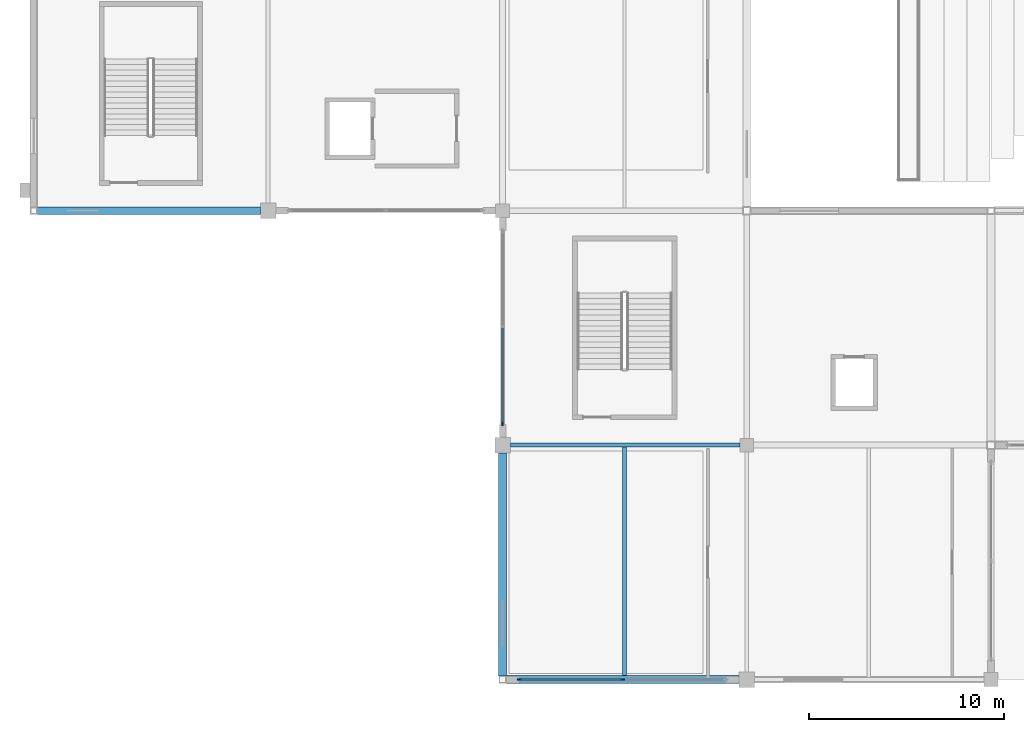
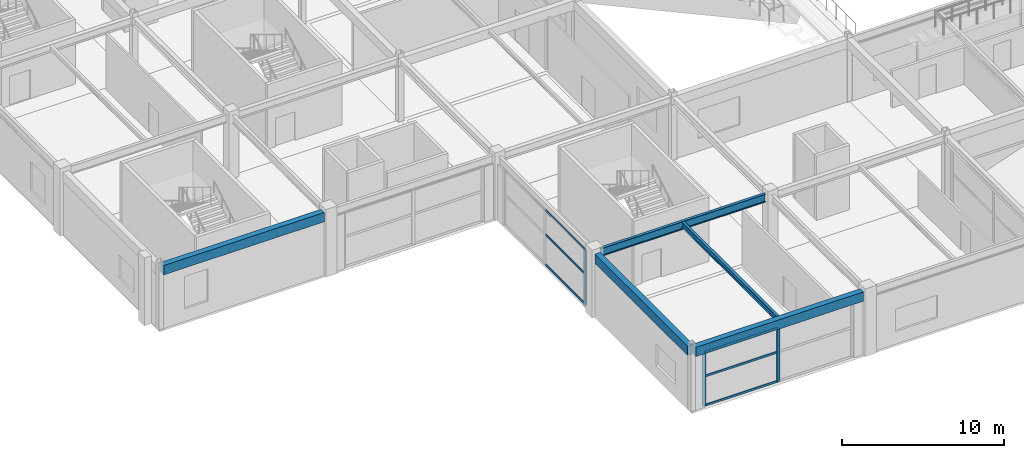
# One storey, part 25 of 128: 9 members, 5 beams, 2 elements without a shape of their own.
"""IFC4 building model written with IfcOpenShell, lengths in metres."""

from ifc_helpers import new_model, si_unit, direction, frame, origin, origin_2d, place, context, subcontext, project, spatial, rectangle, i_section, extrude, material, layer, layer_set, material_profile, profile_set, type_object, element, aggregate, save


model = new_model("IFC4")

# Units and contexts
model_context = context("Model", 3, precision=1e-05, world=origin(), true_north=direction((0.0, 1.0)))
body_context = subcontext(model_context, "Body", "Model", "MODEL_VIEW")
ifc_project = project(units=[si_unit("LENGTHUNIT", "METRE"), si_unit("AREAUNIT", "SQUARE_METRE"), si_unit("VOLUMEUNIT", "CUBIC_METRE"), si_unit("PLANEANGLEUNIT", "RADIAN"), si_unit("MASSUNIT", "GRAM", prefix="KILO")], contexts=[model_context])

# Site, building, storey
site_placement = place(None, origin())
site = spatial("IfcSite", under=ifc_project, at=site_placement, CompositionType="ELEMENT")
building_placement = place(site_placement, origin())
building = spatial("IfcBuilding", under=site, at=building_placement, Name="Kazenohara Klinker Stadium", CompositionType="ELEMENT")
storey_placement = place(building_placement, frame((0.0, 0.0, 15.300048828125)))
storey = spatial("IfcBuildingStorey", under=building, at=storey_placement, Name="L03", CompositionType="ELEMENT", Elevation=15.300048828125)

# Beams
ifc_material_1 = material(Name="Steel S355", Category="steel")
ifc_material_profile_1 = material_profile(ifc_material_1, i_section(OverallWidth=0.199951171875, OverallDepth=0.39990234375, WebThickness=0.008056640625, FlangeThickness=0.012939453125, FilletRadius=0.012939453125, at=origin_2d()), Name="H-400x200x8x13")
ifc_profile_set_1 = profile_set([ifc_material_profile_1], Name="Steel S355")
beam_type_1 = type_object("IfcBeamType", Name="BM-JST03", PredefinedType="JOIST", material=ifc_profile_set_1)
beam_1_placement = place(storey_placement, frame((30.25, 12.199951171875, 4.56005859375), z_axis=(0.0, 1.0, 0.0), x_axis=(-1.0, 0.0, 0.0)))
element("IfcBeam", 1, at=beam_1_placement, inside=storey, type_object=beam_type_1, Name="Secondary floor joist SJ03 L03 3/B", PredefinedType="JOIST", context=body_context, shape_type="SweptSolid", body=[
    extrude(i_section(OverallWidth=0.199951171875, OverallDepth=0.39990234375, WebThickness=0.008056640625, FlangeThickness=0.012939453125, FilletRadius=0.012939453125, at=origin_2d()), origin(), (0.0, 0.0, 1.0), 11.699951171875),
])
ifc_material_2 = material(Name="Concrete C40/50", Category="concrete")
ifc_material_profile_2 = material_profile(ifc_material_2, rectangle(XDim=0.39990234375, YDim=0.699951171875, at=origin_2d()), Name="RC-BM-400x700")
ifc_profile_set_2 = profile_set([ifc_material_profile_2], Name="Concrete C40/50")
beam_type_2 = type_object("IfcBeamType", Name="BM-RC04", PredefinedType="BEAM", material=ifc_profile_set_2)
beam_2_placement = place(storey_placement, frame((0.175048828125, 36.0, 4.409912109375), z_axis=(1.0, 0.0, 0.0), x_axis=(0.0, 1.0, 0.0)))
element("IfcBeam", 2, at=beam_2_placement, inside=storey, type_object=beam_type_2, Name="Primary girder BG04 L03 1-2/D", PredefinedType="BEAM", context=body_context, shape_type="SweptSolid", body=[
    extrude(rectangle(XDim=0.39990234375, YDim=0.699951171875, at=origin_2d()), origin(), (0.0, 0.0, 1.0), 11.425048828125),
])
beam_3_placement = place(storey_placement, frame((24.175048828125, 12.0, 4.409912109375), z_axis=(1.0, 0.0, 0.0), x_axis=(0.0, 1.0, 0.0)))
element("IfcBeam", 3, at=beam_3_placement, inside=storey, type_object=beam_type_2, Name="Primary girder BG04 L03 3-4/B", PredefinedType="BEAM", context=body_context, shape_type="SweptSolid", body=[
    extrude(rectangle(XDim=0.39990234375, YDim=0.699951171875, at=origin_2d()), origin(), (0.0, 0.0, 1.0), 11.925048828125),
])
beam_4_placement = place(storey_placement, frame((24.0, 12.175048828125, 4.409912109375), z_axis=(0.0, 1.0, 0.0), x_axis=(-1.0, 0.0, 0.0)))
element("IfcBeam", 4, at=beam_4_placement, inside=storey, type_object=beam_type_2, Name="Primary girder BG04 L03 3/B-C", PredefinedType="BEAM", context=body_context, shape_type="SweptSolid", body=[
    extrude(rectangle(XDim=0.39990234375, YDim=0.699951171875, at=origin_2d()), origin(), (0.0, 0.0, 1.0), 11.425048828125),
])
ifc_material_profile_3 = material_profile(ifc_material_1, i_section(OverallWidth=0.199951171875, OverallDepth=0.60009765625, WebThickness=0.010986328125, FlangeThickness=0.01708984375, FilletRadius=0.012939453125, at=origin_2d()), Name="H-600x200x11x17")
ifc_profile_set_3 = profile_set([ifc_material_profile_3], Name="Steel S355")
beam_type_3 = type_object("IfcBeamType", Name="BM-ST04", PredefinedType="BEAM", material=ifc_profile_set_3)
beam_5_placement = place(storey_placement, frame((24.39990234375, 24.0, 4.4599609375), z_axis=(1.0, 0.0, 0.0), x_axis=(0.0, 1.0, 0.0)))
element("IfcBeam", 5, at=beam_5_placement, inside=storey, type_object=beam_type_3, Name="Primary girder SB04 L03 3-4/C", PredefinedType="BEAM", context=body_context, shape_type="SweptSolid", body=[
    extrude(i_section(OverallWidth=0.199951171875, OverallDepth=0.60009765625, WebThickness=0.010986328125, FlangeThickness=0.01708984375, FilletRadius=0.012939453125, at=origin_2d()), origin(), (0.0, 0.0, 1.0), 11.75),
])

# Curtain wall, members
ifc_material_3 = material(Name="Anodised aluminium and triple glazing", Category="aluminium")
ifc_layer_1 = layer(ifc_material_3, 0.169921875)
ifc_layer_set_1 = layer_set([ifc_layer_1], Name="Anodised aluminium and triple glazing")
curtain_wall_type_1 = type_object("IfcCurtainWallType", Name="CW-SYS-04", PredefinedType="USERDEFINED", material=ifc_layer_set_1)
curtain_wall_1_placement = place(storey_placement, origin())
curtain_wall_1 = element("IfcCurtainWall", 6, at=curtain_wall_1_placement, inside=storey, type_object=curtain_wall_type_1, Name="Unitised facade curtain wall CW04 L03 X2-1", ObjectType="UNITISED CURTAIN WALL", PredefinedType="USERDEFINED")
ifc_material_4 = material(Name="Anodised aluminium 6063-T6", Category="aluminium")
ifc_material_profile_4 = material_profile(ifc_material_4, rectangle(XDim=0.074951171875, YDim=0.219970703125, at=origin_2d()), Name="ALU-MUL-75x220")
ifc_profile_set_4 = profile_set([ifc_material_profile_4], Name="Anodised aluminium 6063-T6")
member_type_1 = type_object("IfcMemberType", Name="CW-MUL-220", PredefinedType="MULLION", material=ifc_profile_set_4)
member_1_placement = place(storey_placement, frame((24.866455078125, 12.0, 0.0), z_axis=(0.0, 0.0, 1.0), x_axis=(0.0, 1.0, 0.0)))
member_1 = element("IfcMember", 7, at=member_1_placement, type_object=member_type_1, Name="CW04 mullion 1", PredefinedType="MULLION", context=body_context, shape_type="SweptSolid", body=[
    extrude(rectangle(XDim=0.074951171875, YDim=0.219970703125, at=origin_2d()), origin(), (0.0, 0.0, 1.0), 4.06005859375),
])
member_2_placement = place(storey_placement, frame((30.137451171875, 12.0, 0.0), z_axis=(0.0, 0.0, 1.0), x_axis=(0.0, 1.0, 0.0)))
member_2 = element("IfcMember", 8, at=member_2_placement, type_object=member_type_1, Name="CW04 mullion 2", PredefinedType="MULLION", context=body_context, shape_type="SweptSolid", body=[
    extrude(rectangle(XDim=0.074951171875, YDim=0.219970703125, at=origin_2d()), origin(), (0.0, 0.0, 1.0), 4.06005859375),
])

# Curtain wall, member
ifc_layer_2 = layer(ifc_material_3, 0.18994140625)
ifc_layer_set_2 = layer_set([ifc_layer_2], Name="Anodised aluminium and triple glazing")
curtain_wall_type_2 = type_object("IfcCurtainWallType", Name="CW-SYS-05", PredefinedType="USERDEFINED", material=ifc_layer_set_2)
curtain_wall_2_placement = place(storey_placement, origin())
curtain_wall_2 = element("IfcCurtainWall", 9, at=curtain_wall_2_placement, inside=storey, type_object=curtain_wall_type_2, Name="Unitised facade curtain wall CW05 L03 Y2-2", ObjectType="UNITISED CURTAIN WALL", PredefinedType="USERDEFINED")
member_3_placement = place(storey_placement, frame((24.0, 25.091552734375, 0.0), z_axis=(0.0, 0.0, 1.0), x_axis=(-1.0, 0.0, 0.0)))
member_3 = element("IfcMember", 10, at=member_3_placement, type_object=member_type_1, Name="CW05 mullion 1", PredefinedType="MULLION", context=body_context, shape_type="SweptSolid", body=[
    extrude(rectangle(XDim=0.074951171875, YDim=0.219970703125, at=origin_2d()), origin(), (0.0, 0.0, 1.0), 4.159912109375),
])

# Member
ifc_material_profile_5 = material_profile(ifc_material_4, rectangle(XDim=0.074951171875, YDim=0.159912109375, at=origin_2d()), Name="ALU-TRN-75x160")
ifc_profile_set_5 = profile_set([ifc_material_profile_5], Name="Anodised aluminium 6063-T6")
member_type_2 = type_object("IfcMemberType", Name="CW-TRN-160", PredefinedType="USERDEFINED", material=ifc_profile_set_5)
member_4_placement = place(storey_placement, frame((24.904052734375, 12.0, 0.037353515625), z_axis=(1.0, 0.0, 0.0), x_axis=(0.0, 1.0, 0.0)))
member_4 = element("IfcMember", 11, at=member_4_placement, type_object=member_type_2, Name="CW04 transom 1.1", ObjectType="TRANSOM", PredefinedType="USERDEFINED", context=body_context, shape_type="SweptSolid", body=[
    extrude(rectangle(XDim=0.074951171875, YDim=0.159912109375, at=origin_2d()), origin(), (0.0, 0.0, 1.0), 5.196044921875),
])

member_5_placement = place(storey_placement, frame((24.904052734375, 12.0, 2.23291015625), z_axis=(1.0, 0.0, 0.0), x_axis=(0.0, 1.0, 0.0)))
member_5 = element("IfcMember", 12, at=member_5_placement, type_object=member_type_2, Name="CW04 transom 1.2", ObjectType="TRANSOM", PredefinedType="USERDEFINED", context=body_context, shape_type="SweptSolid", body=[
    extrude(rectangle(XDim=0.074951171875, YDim=0.159912109375, at=origin_2d()), origin(), (0.0, 0.0, 1.0), 5.196044921875),
])

member_6_placement = place(storey_placement, frame((24.904052734375, 12.0, 4.0224609375), z_axis=(1.0, 0.0, 0.0), x_axis=(0.0, 1.0, 0.0)))
member_6 = element("IfcMember", 13, at=member_6_placement, type_object=member_type_2, Name="CW04 transom 1.3", ObjectType="TRANSOM", PredefinedType="USERDEFINED", context=body_context, shape_type="SweptSolid", body=[
    extrude(rectangle(XDim=0.074951171875, YDim=0.159912109375, at=origin_2d()), origin(), (0.0, 0.0, 1.0), 5.196044921875),
])

aggregate(curtain_wall_1, [member_1, member_2, member_4, member_5, member_6])

member_7_placement = place(storey_placement, frame((24.0, 25.12890625, 0.037353515625), z_axis=(0.0, 1.0, 0.0), x_axis=(-1.0, 0.0, 0.0)))
member_7 = element("IfcMember", 14, at=member_7_placement, type_object=member_type_2, Name="CW05 transom 1.1", ObjectType="TRANSOM", PredefinedType="USERDEFINED", context=body_context, shape_type="SweptSolid", body=[
    extrude(rectangle(XDim=0.074951171875, YDim=0.159912109375, at=origin_2d()), origin(), (0.0, 0.0, 1.0), 4.858642578125),
])

member_8_placement = place(storey_placement, frame((24.0, 25.12890625, 2.287841796875), z_axis=(0.0, 1.0, 0.0), x_axis=(-1.0, 0.0, 0.0)))
member_8 = element("IfcMember", 15, at=member_8_placement, type_object=member_type_2, Name="CW05 transom 1.2", ObjectType="TRANSOM", PredefinedType="USERDEFINED", context=body_context, shape_type="SweptSolid", body=[
    extrude(rectangle(XDim=0.074951171875, YDim=0.159912109375, at=origin_2d()), origin(), (0.0, 0.0, 1.0), 4.858642578125),
])

member_9_placement = place(storey_placement, frame((24.0, 25.12890625, 4.12255859375), z_axis=(0.0, 1.0, 0.0), x_axis=(-1.0, 0.0, 0.0)))
member_9 = element("IfcMember", 16, at=member_9_placement, type_object=member_type_2, Name="CW05 transom 1.3", ObjectType="TRANSOM", PredefinedType="USERDEFINED", context=body_context, shape_type="SweptSolid", body=[
    extrude(rectangle(XDim=0.074951171875, YDim=0.159912109375, at=origin_2d()), origin(), (0.0, 0.0, 1.0), 4.858642578125),
])

aggregate(curtain_wall_2, [member_3, member_7, member_8, member_9])

save(model, "model.ifc")
